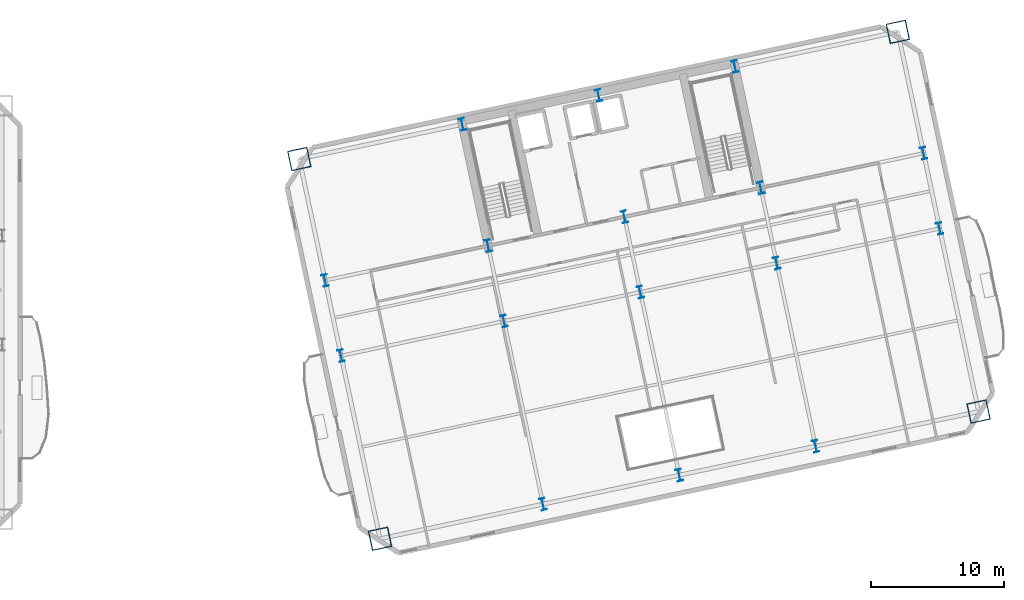
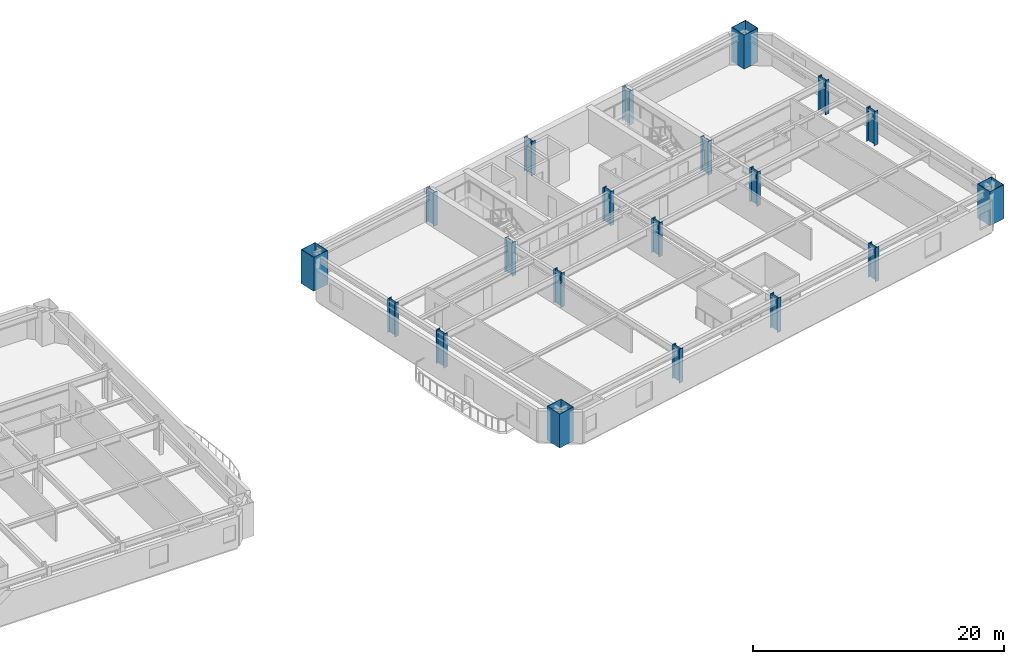
# One storey, part 2 of 15: 20 columns.
"""IFC4 building model written with IfcOpenShell, lengths in metres."""

import ifcopenshell
import ifcopenshell.guid

model = None  # the IFC model being written
_history = None  # IfcOwnerHistory: only IFC2X3 demands one
_inside = {}  # id of a spatial element -> (the spatial element, [elements in it])
_under = {}  # id of a project, library or spatial element -> (it, [spatial elements below it])
_declared = {}  # id of a project -> (the project, [libraries it declares])
_typed = {}  # id of a type object -> (the type object, [elements of that type])
_made_of = {}  # id of a material, layer set ... -> (it, [elements and type objects made of it])


def new_model(schema):
    """Start an empty IFC model of exactly this schema.

    Asked for "IFC4X3", IfcOpenShell would pick the latest addendum, in which some entities
    have other attributes; the version numbers below select the first issue.
    IFC2X3 requires an IfcOwnerHistory on every rooted entity: one is made here for all.
    """
    global model, _history
    if schema == "IFC4X3":
        model = ifcopenshell.file(schema_version=(4, 3, 0, 0))
    else:
        model = ifcopenshell.file(schema=schema)
    _inside.clear()
    _under.clear()
    _declared.clear()
    _typed.clear()
    _made_of.clear()
    _history = None
    if model.schema == "IFC2X3":
        org = make("IfcOrganization", Name="unknown")
        user = make(
            "IfcPersonAndOrganization",
            ThePerson=make("IfcPerson", FamilyName="unknown"),
            TheOrganization=org,
        )
        app = make(
            "IfcApplication",
            ApplicationDeveloper=org,
            Version="unknown",
            ApplicationFullName="unknown",
            ApplicationIdentifier="unknown",
        )
        _history = make(
            "IfcOwnerHistory",
            OwningUser=user,
            OwningApplication=app,
            ChangeAction="ADDED",
            CreationDate=0,
        )
    return model


def make(cls, **values):
    """One entity of the class cls with the attributes given. An attribute that is None is left unset."""
    return model.create_entity(
        cls, **{name: value for name, value in values.items() if value is not None}
    )


def rooted(cls, **values):
    """An entity with a GlobalId (a new one), such as an element, a storey or a relation."""
    return make(cls, GlobalId=ifcopenshell.guid.new(), OwnerHistory=_history, **values)


def si_unit(unit_type, name, prefix=None):
    """IfcSIUnit, for example si_unit("LENGTHUNIT", "METRE", prefix="MILLI")."""
    return make("IfcSIUnit", UnitType=unit_type, Prefix=prefix, Name=name)


def assignment(units):
    """IfcUnitAssignment: the units of a project."""
    return None if units is None else make("IfcUnitAssignment", Units=units)


def point(xyz):
    """IfcCartesianPoint."""
    return None if xyz is None else make("IfcCartesianPoint", Coordinates=xyz)


def direction(xyz):
    """IfcDirection."""
    return None if xyz is None else make("IfcDirection", DirectionRatios=xyz)


def frame(location, z_axis=None, x_axis=None):
    """IfcAxis2Placement3D, a coordinate frame: its origin and axes. An axis left out is left unset."""
    return make(
        "IfcAxis2Placement3D",
        Location=point(location),
        Axis=direction(z_axis),
        RefDirection=direction(x_axis),
    )


def frame_2d(location, x_axis=None):
    """IfcAxis2Placement2D, a coordinate frame in the plane: its origin and x axis."""
    return make(
        "IfcAxis2Placement2D", Location=point(location), RefDirection=direction(x_axis)
    )


def origin():
    """The frame at (0, 0, 0) with its axes left unset."""
    return frame((0.0, 0.0, 0.0))


def origin_2d():
    """The frame at (0, 0) in the plane with its x axis left unset."""
    return frame_2d((0.0, 0.0))


def place(relative_to, where):
    """IfcLocalPlacement: puts the frame where relative to a parent placement (None: the world)."""
    return make(
        "IfcLocalPlacement", PlacementRelTo=relative_to, RelativePlacement=where
    )


def context(
    kind, dimensions, precision=None, world=None, true_north=None, identifier=None
):
    """IfcGeometricRepresentationContext, for example the 3D "Model" context."""
    return make(
        "IfcGeometricRepresentationContext",
        ContextIdentifier=identifier,
        ContextType=kind,
        CoordinateSpaceDimension=dimensions,
        Precision=precision,
        WorldCoordinateSystem=world,
        TrueNorth=true_north,
    )


def subcontext(parent, identifier, kind, view, scale=None):
    """IfcGeometricRepresentationSubContext, for example "Body" below "Model"."""
    return make(
        "IfcGeometricRepresentationSubContext",
        ContextIdentifier=identifier,
        ContextType=kind,
        ParentContext=parent,
        TargetScale=scale,
        TargetView=view,
    )


def project(units=None, contexts=None):
    """IfcProject with its units and contexts."""
    return rooted(
        "IfcProject",
        Name="project",
        RepresentationContexts=contexts,
        UnitsInContext=assignment(units),
    )


def spatial(cls, under=None, at=None, **own):
    """A site, building, storey or space (cls), placed at a placement, below another one or the project."""
    s = rooted(cls, ObjectPlacement=at, **own)
    if under is not None:
        _under.setdefault(under.id(), (under, []))[1].append(s)
    return s


def profile(cls, at=None, kind="AREA", **sizes):
    """A parametric profile (cls). Its sizes go by their IFC names, for example OverallWidth=200.0."""
    return make(cls, ProfileType=kind, Position=at, **sizes)


def hollow_rectangle(**sizes):
    """IfcRectangleHollowProfileDef."""
    return profile("IfcRectangleHollowProfileDef", **sizes)


def i_section(**sizes):
    """IfcIShapeProfileDef."""
    return profile("IfcIShapeProfileDef", **sizes)


def extrude(swept, where, along, depth):
    """IfcExtrudedAreaSolid: the profile swept, set in the frame where, extruded along a direction by depth."""
    return make(
        "IfcExtrudedAreaSolid",
        SweptArea=swept,
        Position=where,
        ExtrudedDirection=direction(along),
        Depth=depth,
    )


def shape(context_of_items, identifier, shape_type, items):
    """IfcShapeRepresentation: the items that make up one representation, for example the "Body"."""
    return make(
        "IfcShapeRepresentation",
        ContextOfItems=context_of_items,
        RepresentationIdentifier=identifier,
        RepresentationType=shape_type,
        Items=items,
    )


def material(Name=None, Category=None):
    """IfcMaterial."""
    return make("IfcMaterial", Name=Name, Category=Category)


def material_profile(
    of_material, cross_section, Name=None, Category=None, Priority=None
):
    """IfcMaterialProfile: a cross section and its material."""
    return make(
        "IfcMaterialProfile",
        Name=Name,
        Material=of_material,
        Profile=cross_section,
        Priority=Priority,
        Category=Category,
    )


def profile_set(profiles, Name=None, composite=None):
    """IfcMaterialProfileSet."""
    return make(
        "IfcMaterialProfileSet",
        Name=Name,
        MaterialProfiles=profiles,
        CompositeProfile=composite,
    )


def made_of(thing, what):
    """Note that an element or type object is made of a material, layer set ...; save() writes the relation."""
    if what is not None:
        _made_of.setdefault(what.id(), (what, []))[1].append(thing)
    return thing


def type_object(cls, material=None, **own):
    """A type object (cls), such as IfcWallType, which elements share."""
    return made_of(rooted(cls, **own), material)


def element(
    cls,
    number,
    at=None,
    inside=None,
    cuts=None,
    type_object=None,
    material=None,
    context=None,
    identifier="Body",
    shape_type=None,
    held_by="IfcProductDefinitionShape",
    body=None,
    shapes=None,
    **own,
):
    """One element of the class cls, such as IfcWall. Its Tag is "e" and its number.

    at: its placement. inside: the storey or other place that contains it. cuts: it is an
    opening in that element (IfcRelVoidsElement). A single representation is given by context,
    identifier, shape_type and body (its items); several are given by shapes. held_by: the class
    of the entity that holds the representations. save() writes the other relations.
    """
    e = rooted(cls, Tag="e%d" % number, ObjectPlacement=at, **own)
    if body is not None:
        shapes = [shape(context, identifier, shape_type, body)]
    if shapes is not None:
        e.Representation = make(held_by, Representations=shapes)
    if inside is not None:
        _inside.setdefault(inside.id(), (inside, []))[1].append(e)
    if cuts is not None:
        rooted(
            "IfcRelVoidsElement", RelatingBuildingElement=cuts, RelatedOpeningElement=e
        )
    if type_object is not None:
        _typed.setdefault(type_object.id(), (type_object, []))[1].append(e)
    return made_of(e, material)


def aggregate(whole, parts):
    """IfcRelAggregates: a whole, such as a stair, and the parts it consists of."""
    return rooted("IfcRelAggregates", RelatingObject=whole, RelatedObjects=parts)


def save(model, path):
    """Write the relations noted so far, then the file.

    IfcRelAggregates (storeys below a building ...), IfcRelContainedInSpatialStructure (elements
    in a storey), IfcRelDefinesByType, IfcRelAssociatesMaterial and IfcRelDeclares: one each for
    every whole, place, type object, material and project.
    """
    for whole, parts in _under.values():
        aggregate(whole, parts)
    for where, things in _inside.values():
        rooted(
            "IfcRelContainedInSpatialStructure",
            RelatedElements=things,
            RelatingStructure=where,
        )
    for kind, things in _typed.values():
        rooted("IfcRelDefinesByType", RelatedObjects=things, RelatingType=kind)
    for what, things in _made_of.values():
        rooted("IfcRelAssociatesMaterial", RelatedObjects=things, RelatingMaterial=what)
    for by, libraries in _declared.values():
        rooted("IfcRelDeclares", RelatingContext=by, RelatedDefinitions=libraries)
    model.write(path)


model = new_model("IFC4")

# Units and contexts
model_context = context("Model", 3, precision=1e-05, world=origin(), true_north=direction((0.0, 1.0)))
body_context = subcontext(model_context, "Body", "Model", "MODEL_VIEW")
ifc_project = project(units=[si_unit("LENGTHUNIT", "METRE"), si_unit("AREAUNIT", "SQUARE_METRE"), si_unit("VOLUMEUNIT", "CUBIC_METRE"), si_unit("PLANEANGLEUNIT", "RADIAN"), si_unit("MASSUNIT", "GRAM", prefix="KILO")], contexts=[model_context])

# Site, building, storey
site_placement = place(None, origin())
site = spatial("IfcSite", under=ifc_project, at=site_placement, CompositionType="ELEMENT")
building_placement = place(site_placement, origin())
building = spatial("IfcBuilding", under=site, at=building_placement, Name="Haevon Station Towers", CompositionType="ELEMENT")
storey_placement = place(building_placement, frame((0.0, 0.0, 63.60009765625)))
storey = spatial("IfcBuildingStorey", under=building, at=storey_placement, Name="L16", CompositionType="ELEMENT", Elevation=63.60009765625)

# Columns
ifc_material = material(Name="Steel S460", Category="steel")
ifc_material_profile_1 = material_profile(ifc_material, hollow_rectangle(XDim=1.5, YDim=1.5, WallThickness=0.0400390625, at=origin_2d()), Name="BOX-1500x1500x40")
ifc_profile_set_1 = profile_set([ifc_material_profile_1], Name="Steel S460")
column_type_1 = type_object("IfcColumnType", Name="COL-MC2", PredefinedType="COLUMN", material=ifc_profile_set_1)
for number, where, z_axis, x_axis, name in (
    (1, (90.614013671875, 15.367919921875, 0.0), (0.0, 0.0, 1.0), (0.978147600734, 0.207911690818, 0.0), "COL-T2-L16-01-01"),
    (2, (84.53271484375, 43.978759765625, 0.0), (0.0, 0.0, 1.0), (0.978147600734, 0.207911690818, 0.0), "COL-T2-L16-01-04"),
    (3, (135.70654296875, 24.95263671875, 0.0), (0.0, 0.0, 1.0), (0.978147600734, 0.207911690818, 0.0), "COL-T2-L16-05-01"),
    (4, (129.625244140625, 53.5634765625, 0.0), (0.0, 0.0, 1.0), (0.978147600734, 0.207911690818, 0.0), "COL-T2-L16-05-04"),
):
    element("IfcColumn", number, at=place(storey_placement, frame(where, z_axis=z_axis, x_axis=x_axis)), inside=storey, type_object=column_type_1, Name=name, PredefinedType="COLUMN", context=body_context, shape_type="SweptSolid", body=[
        extrude(hollow_rectangle(XDim=1.5, YDim=1.5, WallThickness=0.0400390625, at=origin_2d()), origin(), (0.0, 0.0, 1.0), 3.2998046875),
    ])
ifc_material_profile_2 = material_profile(ifc_material, i_section(OverallWidth=0.39990234375, OverallDepth=0.89990234375, WebThickness=0.02001953125, FlangeThickness=0.035888671875, at=origin_2d()), Name="H-900x400x20x36")
ifc_profile_set_2 = profile_set([ifc_material_profile_2], Name="Steel S460")
column_type_2 = type_object("IfcColumnType", Name="COL-TW1", PredefinedType="COLUMN", material=ifc_profile_set_2)
for number, where, z_axis, x_axis, name in (
    (5, (87.682373046875, 29.159912109375, 0.0), (0.0, 0.0, 1.0), (0.978147600734, 0.207911690818, 0.0), "COL-T2-L16-01-02"),
    (6, (86.4765625, 34.8330078125, 0.0), (0.0, 0.0, 1.0), (0.978147600734, 0.207911690818, 0.0), "COL-T2-L16-01-03"),
    (7, (102.889892578125, 17.977294921875, 0.0), (0.0, 0.0, 1.0), (0.978147600734, 0.207911690818, 0.0), "COL-T2-L16-02-01"),
    (8, (99.958251953125, 31.76904296875, 0.0), (0.0, 0.0, 1.0), (0.978147600734, 0.207911690818, 0.0), "COL-T2-L16-02-02"),
    (9, (98.75244140625, 37.4423828125, 0.0), (0.0, 0.0, 1.0), (0.978147600734, 0.207911690818, 0.0), "COL-T2-L16-02-03"),
    (10, (96.808349609375, 46.588134765625, 0.0), (0.0, 0.0, 1.0), (0.978147600734, 0.207911690818, 0.0), "COL-T2-L16-02-04"),
    (11, (113.160400390625, 20.160400390625, 0.0), (0.0, 0.0, 1.0), (0.978147600734, 0.207911690818, 0.0), "COL-T2-L16-03-01"),
    (12, (110.228759765625, 33.9521484375, 0.0), (0.0, 0.0, 1.0), (0.978147600734, 0.207911690818, 0.0), "COL-T2-L16-03-02"),
    (13, (109.02294921875, 39.62548828125, 0.0), (0.0, 0.0, 1.0), (0.978147600734, 0.207911690818, 0.0), "COL-T2-L16-03-03"),
    (14, (107.078857421875, 48.771240234375, 0.0), (0.0, 0.0, 1.0), (0.978147600734, 0.207911690818, 0.0), "COL-T2-L16-03-04"),
    (15, (123.430908203125, 22.343505859375, 0.0), (0.0, 0.0, 1.0), (0.978147600734, 0.207911690818, 0.0), "COL-T2-L16-04-01"),
    (16, (120.499267578125, 36.13525390625, 0.0), (0.0, 0.0, 1.0), (0.978147600734, 0.207911690818, 0.0), "COL-T2-L16-04-02"),
    (17, (119.29345703125, 41.80859375, 0.0), (0.0, 0.0, 1.0), (0.978147600734, 0.207911690818, 0.0), "COL-T2-L16-04-03"),
    (18, (117.349365234375, 50.954345703125, 0.0), (0.0, 0.0, 1.0), (0.978147600734, 0.207911690818, 0.0), "COL-T2-L16-04-04"),
    (19, (132.775146484375, 38.74462890625, 0.0), (0.0, 0.0, 1.0), (0.978147600734, 0.207911690818, 0.0), "COL-T2-L16-05-02"),
    (20, (131.569091796875, 44.41796875, 0.0), (0.0, 0.0, 1.0), (0.978147600734, 0.207911690818, 0.0), "COL-T2-L16-05-03"),
):
    element("IfcColumn", number, at=place(storey_placement, frame(where, z_axis=z_axis, x_axis=x_axis)), inside=storey, type_object=column_type_2, Name=name, PredefinedType="COLUMN", context=body_context, shape_type="SweptSolid", body=[
        extrude(i_section(OverallWidth=0.39990234375, OverallDepth=0.89990234375, WebThickness=0.02001953125, FlangeThickness=0.035888671875, at=origin_2d()), origin(), (0.0, 0.0, 1.0), 3.2998046875),
    ])

save(model, "model.ifc")
